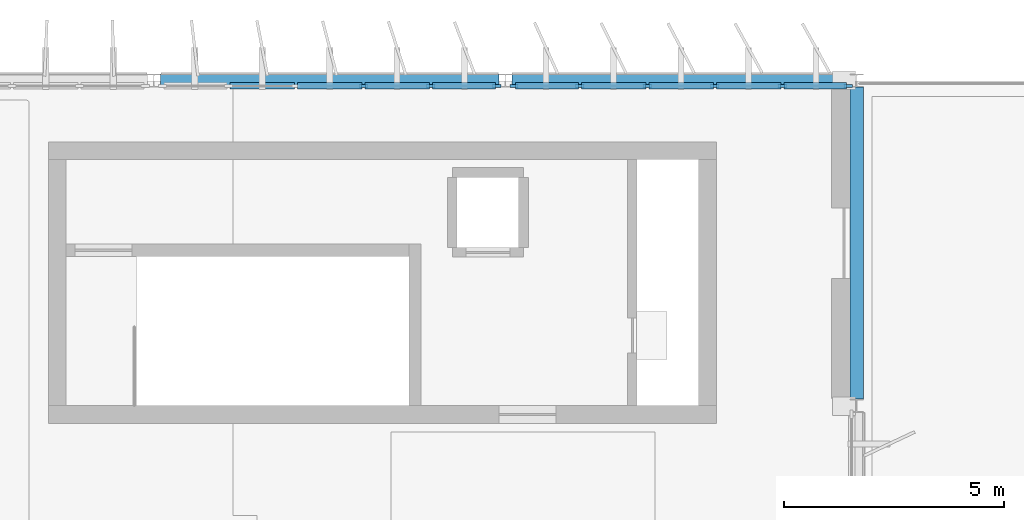
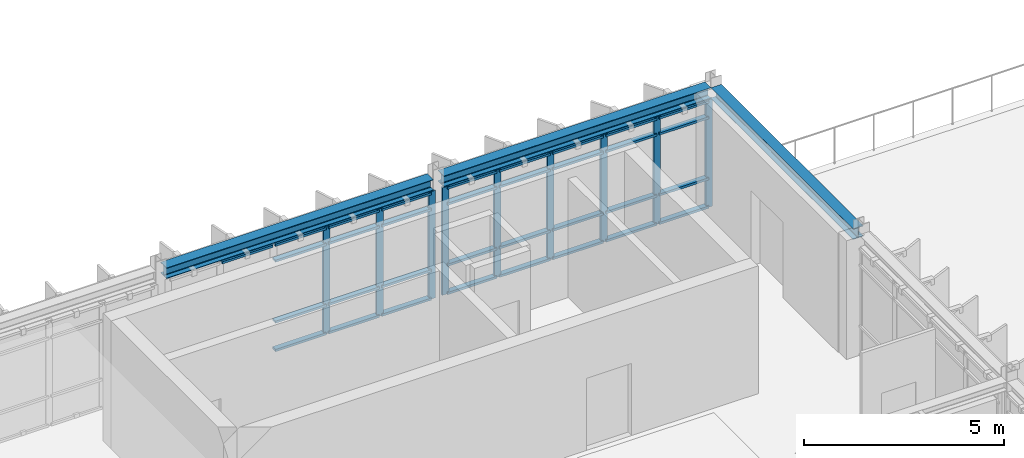
# One storey, part 10 of 20: 42 members, 3 beams, 2 elements without a shape of their own.
"""IFC4 building model written with IfcOpenShell, lengths in metres."""

from ifc_helpers import new_model, si_unit, direction, frame, origin, origin_2d, place, context, subcontext, project, spatial, rectangle, i_section, extrude, material, layer, layer_set, material_profile, profile_set, type_object, element, aggregate, save


model = new_model("IFC4")

# Units and contexts
model_context = context("Model", 3, precision=1e-05, world=origin(), true_north=direction((0.0, 1.0)))
body_context = subcontext(model_context, "Body", "Model", "MODEL_VIEW")
ifc_project = project(units=[si_unit("LENGTHUNIT", "METRE"), si_unit("AREAUNIT", "SQUARE_METRE"), si_unit("VOLUMEUNIT", "CUBIC_METRE"), si_unit("PLANEANGLEUNIT", "RADIAN"), si_unit("MASSUNIT", "GRAM", prefix="KILO")], contexts=[model_context])

# Site, building, storey
site_placement = place(None, origin())
site = spatial("IfcSite", under=ifc_project, at=site_placement, CompositionType="ELEMENT")
building_placement = place(site_placement, origin())
building = spatial("IfcBuilding", under=site, at=building_placement, Name="Valkorina Park Police Headquarters", CompositionType="ELEMENT")
storey_placement = place(building_placement, frame((0.0, 0.0, 31.10009765625)))
storey = spatial("IfcBuildingStorey", under=building, at=storey_placement, Name="L08", CompositionType="ELEMENT", Elevation=31.10009765625)

# Beams
ifc_material_1 = material(Name="Steel S355", Category="steel")
ifc_material_profile_1 = material_profile(ifc_material_1, i_section(OverallWidth=0.300048828125, OverallDepth=0.330078125, WebThickness=0.009521484375, FlangeThickness=0.0166015625, FilletRadius=0.027099609375, at=origin_2d()), Name="HEA 340")
ifc_profile_set_1 = profile_set([ifc_material_profile_1], Name="Steel S355")
beam_type = type_object("IfcBeamType", Name="BM-S355-HEA340-SPN", PredefinedType="SPANDREL", material=ifc_profile_set_1)
for number, where, z_axis, x_axis, name in (
    (1, (40.949951171875, 59.199951171875, 3.454833984375), (1.0, 0.0, 0.0), (0.0, 1.0, 0.0), "L08 Framing Beam 2816"),
    (2, (48.949951171875, 59.199951171875, 3.454833984375), (1.0, 0.0, 0.0), (0.0, 1.0, 0.0), "L08 Framing Beam 2817"),
):
    element("IfcBeam", number, at=place(storey_placement, frame(where, z_axis=z_axis, x_axis=x_axis)), inside=storey, type_object=beam_type, Name=name, PredefinedType="SPANDREL", context=body_context, shape_type="SweptSolid", body=[
        extrude(i_section(OverallWidth=0.300048828125, OverallDepth=0.330078125, WebThickness=0.009521484375, FlangeThickness=0.0166015625, FilletRadius=0.027099609375, at=origin_2d()), origin(), (0.0, 0.0, 1.0), 7.699951171875),
    ])
beam_placement = place(storey_placement, frame((56.800048828125, 51.949951171875, 3.454833984375), z_axis=(0.0, 1.0, 0.0), x_axis=(-1.0, 0.0, 0.0)))
element("IfcBeam", 3, at=beam_placement, inside=storey, type_object=beam_type, Name="L08 Framing Beam 2857", PredefinedType="SPANDREL", context=body_context, shape_type="SweptSolid", body=[
    extrude(i_section(OverallWidth=0.300048828125, OverallDepth=0.330078125, WebThickness=0.009521484375, FlangeThickness=0.0166015625, FilletRadius=0.027099609375, at=origin_2d()), origin(), (0.0, 0.0, 1.0), 7.10009765625),
])

# Curtain wall, members
ifc_material_2 = material(Name="Thermally broken aluminium AW-6060", Category="aluminium")
ifc_layer = layer(ifc_material_2, 0.18994140625)
ifc_layer_set = layer_set([ifc_layer], Name="Thermally broken aluminium AW-6060")
curtain_wall_type = type_object("IfcCurtainWallType", Name="CW-V5-7680x3280", PredefinedType="NOTDEFINED", material=ifc_layer_set)
curtain_wall_1_placement = place(storey_placement, origin())
curtain_wall_1 = element("IfcCurtainWall", 4, at=curtain_wall_1_placement, inside=storey, type_object=curtain_wall_type, Name="L08 Unitised Curtain Wall 171", PredefinedType="NOTDEFINED")
ifc_material_profile_2 = material_profile(ifc_material_2, rectangle(XDim=0.070068359375, YDim=0.18994140625, at=origin_2d()), Name="CWM-02 70x190")
ifc_profile_set_2 = profile_set([ifc_material_profile_2], Name="Thermally broken aluminium AW-6060")
member_type_1 = type_object("IfcMemberType", Name="CWM-70x190", PredefinedType="MULLION", material=ifc_profile_set_2)
member_1_placement = place(storey_placement, frame((45.568115234375, 59.080078125, 0.0), z_axis=(0.0, 0.0, 1.0), x_axis=(0.0, 1.0, 0.0)))
member_1 = element("IfcMember", 5, at=member_1_placement, type_object=member_type_1, Name="CW-V5-768-328 mullion 4", PredefinedType="MULLION", context=body_context, shape_type="SweptSolid", body=[
    extrude(rectangle(XDim=0.070068359375, YDim=0.18994140625, at=origin_2d()), origin(), (0.0, 0.0, 1.0), 3.27978515625),
])
member_2_placement = place(storey_placement, frame((47.10400390625, 59.080078125, 0.0), z_axis=(0.0, 0.0, 1.0), x_axis=(0.0, 1.0, 0.0)))
member_2 = element("IfcMember", 6, at=member_2_placement, type_object=member_type_1, Name="CW-V5-768-328 mullion 5", PredefinedType="MULLION", context=body_context, shape_type="SweptSolid", body=[
    extrude(rectangle(XDim=0.070068359375, YDim=0.18994140625, at=origin_2d()), origin(), (0.0, 0.0, 1.0), 3.27978515625),
])
member_3_placement = place(storey_placement, frame((48.60498046875, 59.080078125, 0.0), z_axis=(0.0, 0.0, 1.0), x_axis=(0.0, 1.0, 0.0)))
member_3 = element("IfcMember", 7, at=member_3_placement, type_object=member_type_1, Name="CW-V5-768-328 mullion 6", PredefinedType="MULLION", context=body_context, shape_type="SweptSolid", body=[
    extrude(rectangle(XDim=0.070068359375, YDim=0.18994140625, at=origin_2d()), origin(), (0.0, 0.0, 1.0), 3.27978515625),
])

curtain_wall_2_placement = place(storey_placement, origin())
curtain_wall_2 = element("IfcCurtainWall", 8, at=curtain_wall_2_placement, inside=storey, type_object=curtain_wall_type, Name="L08 Unitised Curtain Wall 172", PredefinedType="NOTDEFINED")
member_4_placement = place(storey_placement, frame((48.9951171875, 59.080078125, 0.0), z_axis=(0.0, 0.0, 1.0), x_axis=(0.0, 1.0, 0.0)))
member_4 = element("IfcMember", 9, at=member_4_placement, type_object=member_type_1, Name="CW-V5-768-328 mullion 1", PredefinedType="MULLION", context=body_context, shape_type="SweptSolid", body=[
    extrude(rectangle(XDim=0.070068359375, YDim=0.18994140625, at=origin_2d()), origin(), (0.0, 0.0, 1.0), 3.27978515625),
])
member_5_placement = place(storey_placement, frame((50.49609375, 59.080078125, 0.0), z_axis=(0.0, 0.0, 1.0), x_axis=(0.0, 1.0, 0.0)))
member_5 = element("IfcMember", 10, at=member_5_placement, type_object=member_type_1, Name="CW-V5-768-328 mullion 2", PredefinedType="MULLION", context=body_context, shape_type="SweptSolid", body=[
    extrude(rectangle(XDim=0.070068359375, YDim=0.18994140625, at=origin_2d()), origin(), (0.0, 0.0, 1.0), 3.27978515625),
])
member_6_placement = place(storey_placement, frame((52.031982421875, 59.080078125, 0.0), z_axis=(0.0, 0.0, 1.0), x_axis=(0.0, 1.0, 0.0)))
member_6 = element("IfcMember", 11, at=member_6_placement, type_object=member_type_1, Name="CW-V5-768-328 mullion 3", PredefinedType="MULLION", context=body_context, shape_type="SweptSolid", body=[
    extrude(rectangle(XDim=0.070068359375, YDim=0.18994140625, at=origin_2d()), origin(), (0.0, 0.0, 1.0), 3.27978515625),
])
member_7_placement = place(storey_placement, frame((53.568115234375, 59.080078125, 0.0), z_axis=(0.0, 0.0, 1.0), x_axis=(0.0, 1.0, 0.0)))
member_7 = element("IfcMember", 12, at=member_7_placement, type_object=member_type_1, Name="CW-V5-768-328 mullion 4", PredefinedType="MULLION", context=body_context, shape_type="SweptSolid", body=[
    extrude(rectangle(XDim=0.070068359375, YDim=0.18994140625, at=origin_2d()), origin(), (0.0, 0.0, 1.0), 3.27978515625),
])
member_8_placement = place(storey_placement, frame((55.10400390625, 59.080078125, 0.0), z_axis=(0.0, 0.0, 1.0), x_axis=(0.0, 1.0, 0.0)))
member_8 = element("IfcMember", 13, at=member_8_placement, type_object=member_type_1, Name="CW-V5-768-328 mullion 5", PredefinedType="MULLION", context=body_context, shape_type="SweptSolid", body=[
    extrude(rectangle(XDim=0.070068359375, YDim=0.18994140625, at=origin_2d()), origin(), (0.0, 0.0, 1.0), 3.27978515625),
])
member_9_placement = place(storey_placement, frame((56.60498046875, 59.080078125, 0.0), z_axis=(0.0, 0.0, 1.0), x_axis=(0.0, 1.0, 0.0)))
member_9 = element("IfcMember", 14, at=member_9_placement, type_object=member_type_1, Name="CW-V5-768-328 mullion 6", PredefinedType="MULLION", context=body_context, shape_type="SweptSolid", body=[
    extrude(rectangle(XDim=0.070068359375, YDim=0.18994140625, at=origin_2d()), origin(), (0.0, 0.0, 1.0), 3.27978515625),
])

# Member
ifc_material_profile_3 = material_profile(ifc_material_2, rectangle(XDim=0.14990234375, YDim=0.070068359375, at=origin_2d()), Name="CWT-02 150x70")
ifc_profile_set_3 = profile_set([ifc_material_profile_3], Name="Thermally broken aluminium AW-6060")
member_type_2 = type_object("IfcMemberType", Name="CWT-150x70", PredefinedType="USERDEFINED", material=ifc_profile_set_3)
member_10_placement = place(storey_placement, frame((42.531005859375, 59.080078125, 3.244873046875), z_axis=(1.0, 0.0, 0.0), x_axis=(0.0, 1.0, 0.0)))
member_10 = element("IfcMember", 15, at=member_10_placement, type_object=member_type_2, Name="CW-V5-768-328 transom 2.4", ObjectType="TRANSOM", PredefinedType="USERDEFINED", context=body_context, shape_type="SweptSolid", body=[
    extrude(rectangle(XDim=0.14990234375, YDim=0.070068359375, at=origin_2d()), origin(), (0.0, 0.0, 1.0), 1.466064453125),
])

member_11_placement = place(storey_placement, frame((44.06689453125, 59.080078125, 0.034912109375), z_axis=(1.0, 0.0, 0.0), x_axis=(0.0, 1.0, 0.0)))
member_11 = element("IfcMember", 16, at=member_11_placement, type_object=member_type_2, Name="CW-V5-768-328 transom 3.1", ObjectType="TRANSOM", PredefinedType="USERDEFINED", context=body_context, shape_type="SweptSolid", body=[
    extrude(rectangle(XDim=0.14990234375, YDim=0.070068359375, at=origin_2d()), origin(), (0.0, 0.0, 1.0), 1.466064453125),
])

member_12_placement = place(storey_placement, frame((44.06689453125, 59.080078125, 0.89990234375), z_axis=(1.0, 0.0, 0.0), x_axis=(0.0, 1.0, 0.0)))
member_12 = element("IfcMember", 17, at=member_12_placement, type_object=member_type_2, Name="CW-V5-768-328 transom 3.2", ObjectType="TRANSOM", PredefinedType="USERDEFINED", context=body_context, shape_type="SweptSolid", body=[
    extrude(rectangle(XDim=0.14990234375, YDim=0.070068359375, at=origin_2d()), origin(), (0.0, 0.0, 1.0), 1.466064453125),
])

member_13_placement = place(storey_placement, frame((44.06689453125, 59.080078125, 2.760009765625), z_axis=(1.0, 0.0, 0.0), x_axis=(0.0, 1.0, 0.0)))
member_13 = element("IfcMember", 18, at=member_13_placement, type_object=member_type_2, Name="CW-V5-768-328 transom 3.3", ObjectType="TRANSOM", PredefinedType="USERDEFINED", context=body_context, shape_type="SweptSolid", body=[
    extrude(rectangle(XDim=0.14990234375, YDim=0.070068359375, at=origin_2d()), origin(), (0.0, 0.0, 1.0), 1.466064453125),
])

member_14_placement = place(storey_placement, frame((44.06689453125, 59.080078125, 3.244873046875), z_axis=(1.0, 0.0, 0.0), x_axis=(0.0, 1.0, 0.0)))
member_14 = element("IfcMember", 19, at=member_14_placement, type_object=member_type_2, Name="CW-V5-768-328 transom 3.4", ObjectType="TRANSOM", PredefinedType="USERDEFINED", context=body_context, shape_type="SweptSolid", body=[
    extrude(rectangle(XDim=0.14990234375, YDim=0.070068359375, at=origin_2d()), origin(), (0.0, 0.0, 1.0), 1.466064453125),
])

member_15_placement = place(storey_placement, frame((45.60302734375, 59.080078125, 0.034912109375), z_axis=(1.0, 0.0, 0.0), x_axis=(0.0, 1.0, 0.0)))
member_15 = element("IfcMember", 20, at=member_15_placement, type_object=member_type_2, Name="CW-V5-768-328 transom 4.1", ObjectType="TRANSOM", PredefinedType="USERDEFINED", context=body_context, shape_type="SweptSolid", body=[
    extrude(rectangle(XDim=0.14990234375, YDim=0.070068359375, at=origin_2d()), origin(), (0.0, 0.0, 1.0), 1.466064453125),
])

member_16_placement = place(storey_placement, frame((45.60302734375, 59.080078125, 0.89990234375), z_axis=(1.0, 0.0, 0.0), x_axis=(0.0, 1.0, 0.0)))
member_16 = element("IfcMember", 21, at=member_16_placement, type_object=member_type_2, Name="CW-V5-768-328 transom 4.2", ObjectType="TRANSOM", PredefinedType="USERDEFINED", context=body_context, shape_type="SweptSolid", body=[
    extrude(rectangle(XDim=0.14990234375, YDim=0.070068359375, at=origin_2d()), origin(), (0.0, 0.0, 1.0), 1.466064453125),
])

member_17_placement = place(storey_placement, frame((45.60302734375, 59.080078125, 2.760009765625), z_axis=(1.0, 0.0, 0.0), x_axis=(0.0, 1.0, 0.0)))
member_17 = element("IfcMember", 22, at=member_17_placement, type_object=member_type_2, Name="CW-V5-768-328 transom 4.3", ObjectType="TRANSOM", PredefinedType="USERDEFINED", context=body_context, shape_type="SweptSolid", body=[
    extrude(rectangle(XDim=0.14990234375, YDim=0.070068359375, at=origin_2d()), origin(), (0.0, 0.0, 1.0), 1.466064453125),
])

member_18_placement = place(storey_placement, frame((45.60302734375, 59.080078125, 3.244873046875), z_axis=(1.0, 0.0, 0.0), x_axis=(0.0, 1.0, 0.0)))
member_18 = element("IfcMember", 23, at=member_18_placement, type_object=member_type_2, Name="CW-V5-768-328 transom 4.4", ObjectType="TRANSOM", PredefinedType="USERDEFINED", context=body_context, shape_type="SweptSolid", body=[
    extrude(rectangle(XDim=0.14990234375, YDim=0.070068359375, at=origin_2d()), origin(), (0.0, 0.0, 1.0), 1.466064453125),
])

member_19_placement = place(storey_placement, frame((47.138916015625, 59.080078125, 0.034912109375), z_axis=(1.0, 0.0, 0.0), x_axis=(0.0, 1.0, 0.0)))
member_19 = element("IfcMember", 24, at=member_19_placement, type_object=member_type_2, Name="CW-V5-768-328 transom 5.1", ObjectType="TRANSOM", PredefinedType="USERDEFINED", context=body_context, shape_type="SweptSolid", body=[
    extrude(rectangle(XDim=0.14990234375, YDim=0.070068359375, at=origin_2d()), origin(), (0.0, 0.0, 1.0), 1.43115234375),
])

member_20_placement = place(storey_placement, frame((47.138916015625, 59.080078125, 0.89990234375), z_axis=(1.0, 0.0, 0.0), x_axis=(0.0, 1.0, 0.0)))
member_20 = element("IfcMember", 25, at=member_20_placement, type_object=member_type_2, Name="CW-V5-768-328 transom 5.2", ObjectType="TRANSOM", PredefinedType="USERDEFINED", context=body_context, shape_type="SweptSolid", body=[
    extrude(rectangle(XDim=0.14990234375, YDim=0.070068359375, at=origin_2d()), origin(), (0.0, 0.0, 1.0), 1.43115234375),
])

member_21_placement = place(storey_placement, frame((47.138916015625, 59.080078125, 2.760009765625), z_axis=(1.0, 0.0, 0.0), x_axis=(0.0, 1.0, 0.0)))
member_21 = element("IfcMember", 26, at=member_21_placement, type_object=member_type_2, Name="CW-V5-768-328 transom 5.3", ObjectType="TRANSOM", PredefinedType="USERDEFINED", context=body_context, shape_type="SweptSolid", body=[
    extrude(rectangle(XDim=0.14990234375, YDim=0.070068359375, at=origin_2d()), origin(), (0.0, 0.0, 1.0), 1.43115234375),
])

member_22_placement = place(storey_placement, frame((47.138916015625, 59.080078125, 3.244873046875), z_axis=(1.0, 0.0, 0.0), x_axis=(0.0, 1.0, 0.0)))
member_22 = element("IfcMember", 27, at=member_22_placement, type_object=member_type_2, Name="CW-V5-768-328 transom 5.4", ObjectType="TRANSOM", PredefinedType="USERDEFINED", context=body_context, shape_type="SweptSolid", body=[
    extrude(rectangle(XDim=0.14990234375, YDim=0.070068359375, at=origin_2d()), origin(), (0.0, 0.0, 1.0), 1.43115234375),
])

aggregate(curtain_wall_1, [member_1, member_2, member_3, member_10, member_11, member_12, member_13, member_14, member_15, member_16, member_17, member_18, member_19, member_20, member_21, member_22])

member_23_placement = place(storey_placement, frame((49.030029296875, 59.080078125, 0.034912109375), z_axis=(1.0, 0.0, 0.0), x_axis=(0.0, 1.0, 0.0)))
member_23 = element("IfcMember", 28, at=member_23_placement, type_object=member_type_2, Name="CW-V5-768-328 transom 1.1", ObjectType="TRANSOM", PredefinedType="USERDEFINED", context=body_context, shape_type="SweptSolid", body=[
    extrude(rectangle(XDim=0.14990234375, YDim=0.070068359375, at=origin_2d()), origin(), (0.0, 0.0, 1.0), 1.430908203125),
])

member_24_placement = place(storey_placement, frame((49.030029296875, 59.080078125, 0.89990234375), z_axis=(1.0, 0.0, 0.0), x_axis=(0.0, 1.0, 0.0)))
member_24 = element("IfcMember", 29, at=member_24_placement, type_object=member_type_2, Name="CW-V5-768-328 transom 1.2", ObjectType="TRANSOM", PredefinedType="USERDEFINED", context=body_context, shape_type="SweptSolid", body=[
    extrude(rectangle(XDim=0.14990234375, YDim=0.070068359375, at=origin_2d()), origin(), (0.0, 0.0, 1.0), 1.430908203125),
])

member_25_placement = place(storey_placement, frame((49.030029296875, 59.080078125, 2.760009765625), z_axis=(1.0, 0.0, 0.0), x_axis=(0.0, 1.0, 0.0)))
member_25 = element("IfcMember", 30, at=member_25_placement, type_object=member_type_2, Name="CW-V5-768-328 transom 1.3", ObjectType="TRANSOM", PredefinedType="USERDEFINED", context=body_context, shape_type="SweptSolid", body=[
    extrude(rectangle(XDim=0.14990234375, YDim=0.070068359375, at=origin_2d()), origin(), (0.0, 0.0, 1.0), 1.430908203125),
])

member_26_placement = place(storey_placement, frame((49.030029296875, 59.080078125, 3.244873046875), z_axis=(1.0, 0.0, 0.0), x_axis=(0.0, 1.0, 0.0)))
member_26 = element("IfcMember", 31, at=member_26_placement, type_object=member_type_2, Name="CW-V5-768-328 transom 1.4", ObjectType="TRANSOM", PredefinedType="USERDEFINED", context=body_context, shape_type="SweptSolid", body=[
    extrude(rectangle(XDim=0.14990234375, YDim=0.070068359375, at=origin_2d()), origin(), (0.0, 0.0, 1.0), 1.430908203125),
])

member_27_placement = place(storey_placement, frame((50.531005859375, 59.080078125, 0.034912109375), z_axis=(1.0, 0.0, 0.0), x_axis=(0.0, 1.0, 0.0)))
member_27 = element("IfcMember", 32, at=member_27_placement, type_object=member_type_2, Name="CW-V5-768-328 transom 2.1", ObjectType="TRANSOM", PredefinedType="USERDEFINED", context=body_context, shape_type="SweptSolid", body=[
    extrude(rectangle(XDim=0.14990234375, YDim=0.070068359375, at=origin_2d()), origin(), (0.0, 0.0, 1.0), 1.466064453125),
])

member_28_placement = place(storey_placement, frame((50.531005859375, 59.080078125, 0.89990234375), z_axis=(1.0, 0.0, 0.0), x_axis=(0.0, 1.0, 0.0)))
member_28 = element("IfcMember", 33, at=member_28_placement, type_object=member_type_2, Name="CW-V5-768-328 transom 2.2", ObjectType="TRANSOM", PredefinedType="USERDEFINED", context=body_context, shape_type="SweptSolid", body=[
    extrude(rectangle(XDim=0.14990234375, YDim=0.070068359375, at=origin_2d()), origin(), (0.0, 0.0, 1.0), 1.466064453125),
])

member_29_placement = place(storey_placement, frame((50.531005859375, 59.080078125, 2.760009765625), z_axis=(1.0, 0.0, 0.0), x_axis=(0.0, 1.0, 0.0)))
member_29 = element("IfcMember", 34, at=member_29_placement, type_object=member_type_2, Name="CW-V5-768-328 transom 2.3", ObjectType="TRANSOM", PredefinedType="USERDEFINED", context=body_context, shape_type="SweptSolid", body=[
    extrude(rectangle(XDim=0.14990234375, YDim=0.070068359375, at=origin_2d()), origin(), (0.0, 0.0, 1.0), 1.466064453125),
])

member_30_placement = place(storey_placement, frame((50.531005859375, 59.080078125, 3.244873046875), z_axis=(1.0, 0.0, 0.0), x_axis=(0.0, 1.0, 0.0)))
member_30 = element("IfcMember", 35, at=member_30_placement, type_object=member_type_2, Name="CW-V5-768-328 transom 2.4", ObjectType="TRANSOM", PredefinedType="USERDEFINED", context=body_context, shape_type="SweptSolid", body=[
    extrude(rectangle(XDim=0.14990234375, YDim=0.070068359375, at=origin_2d()), origin(), (0.0, 0.0, 1.0), 1.466064453125),
])

member_31_placement = place(storey_placement, frame((52.06689453125, 59.080078125, 0.034912109375), z_axis=(1.0, 0.0, 0.0), x_axis=(0.0, 1.0, 0.0)))
member_31 = element("IfcMember", 36, at=member_31_placement, type_object=member_type_2, Name="CW-V5-768-328 transom 3.1", ObjectType="TRANSOM", PredefinedType="USERDEFINED", context=body_context, shape_type="SweptSolid", body=[
    extrude(rectangle(XDim=0.14990234375, YDim=0.070068359375, at=origin_2d()), origin(), (0.0, 0.0, 1.0), 1.466064453125),
])

member_32_placement = place(storey_placement, frame((52.06689453125, 59.080078125, 0.89990234375), z_axis=(1.0, 0.0, 0.0), x_axis=(0.0, 1.0, 0.0)))
member_32 = element("IfcMember", 37, at=member_32_placement, type_object=member_type_2, Name="CW-V5-768-328 transom 3.2", ObjectType="TRANSOM", PredefinedType="USERDEFINED", context=body_context, shape_type="SweptSolid", body=[
    extrude(rectangle(XDim=0.14990234375, YDim=0.070068359375, at=origin_2d()), origin(), (0.0, 0.0, 1.0), 1.466064453125),
])

member_33_placement = place(storey_placement, frame((52.06689453125, 59.080078125, 2.760009765625), z_axis=(1.0, 0.0, 0.0), x_axis=(0.0, 1.0, 0.0)))
member_33 = element("IfcMember", 38, at=member_33_placement, type_object=member_type_2, Name="CW-V5-768-328 transom 3.3", ObjectType="TRANSOM", PredefinedType="USERDEFINED", context=body_context, shape_type="SweptSolid", body=[
    extrude(rectangle(XDim=0.14990234375, YDim=0.070068359375, at=origin_2d()), origin(), (0.0, 0.0, 1.0), 1.466064453125),
])

member_34_placement = place(storey_placement, frame((52.06689453125, 59.080078125, 3.244873046875), z_axis=(1.0, 0.0, 0.0), x_axis=(0.0, 1.0, 0.0)))
member_34 = element("IfcMember", 39, at=member_34_placement, type_object=member_type_2, Name="CW-V5-768-328 transom 3.4", ObjectType="TRANSOM", PredefinedType="USERDEFINED", context=body_context, shape_type="SweptSolid", body=[
    extrude(rectangle(XDim=0.14990234375, YDim=0.070068359375, at=origin_2d()), origin(), (0.0, 0.0, 1.0), 1.466064453125),
])

member_35_placement = place(storey_placement, frame((53.60302734375, 59.080078125, 0.034912109375), z_axis=(1.0, 0.0, 0.0), x_axis=(0.0, 1.0, 0.0)))
member_35 = element("IfcMember", 40, at=member_35_placement, type_object=member_type_2, Name="CW-V5-768-328 transom 4.1", ObjectType="TRANSOM", PredefinedType="USERDEFINED", context=body_context, shape_type="SweptSolid", body=[
    extrude(rectangle(XDim=0.14990234375, YDim=0.070068359375, at=origin_2d()), origin(), (0.0, 0.0, 1.0), 1.466064453125),
])

member_36_placement = place(storey_placement, frame((53.60302734375, 59.080078125, 0.89990234375), z_axis=(1.0, 0.0, 0.0), x_axis=(0.0, 1.0, 0.0)))
member_36 = element("IfcMember", 41, at=member_36_placement, type_object=member_type_2, Name="CW-V5-768-328 transom 4.2", ObjectType="TRANSOM", PredefinedType="USERDEFINED", context=body_context, shape_type="SweptSolid", body=[
    extrude(rectangle(XDim=0.14990234375, YDim=0.070068359375, at=origin_2d()), origin(), (0.0, 0.0, 1.0), 1.466064453125),
])

member_37_placement = place(storey_placement, frame((53.60302734375, 59.080078125, 2.760009765625), z_axis=(1.0, 0.0, 0.0), x_axis=(0.0, 1.0, 0.0)))
member_37 = element("IfcMember", 42, at=member_37_placement, type_object=member_type_2, Name="CW-V5-768-328 transom 4.3", ObjectType="TRANSOM", PredefinedType="USERDEFINED", context=body_context, shape_type="SweptSolid", body=[
    extrude(rectangle(XDim=0.14990234375, YDim=0.070068359375, at=origin_2d()), origin(), (0.0, 0.0, 1.0), 1.466064453125),
])

member_38_placement = place(storey_placement, frame((53.60302734375, 59.080078125, 3.244873046875), z_axis=(1.0, 0.0, 0.0), x_axis=(0.0, 1.0, 0.0)))
member_38 = element("IfcMember", 43, at=member_38_placement, type_object=member_type_2, Name="CW-V5-768-328 transom 4.4", ObjectType="TRANSOM", PredefinedType="USERDEFINED", context=body_context, shape_type="SweptSolid", body=[
    extrude(rectangle(XDim=0.14990234375, YDim=0.070068359375, at=origin_2d()), origin(), (0.0, 0.0, 1.0), 1.466064453125),
])

member_39_placement = place(storey_placement, frame((55.138916015625, 59.080078125, 0.034912109375), z_axis=(1.0, 0.0, 0.0), x_axis=(0.0, 1.0, 0.0)))
member_39 = element("IfcMember", 44, at=member_39_placement, type_object=member_type_2, Name="CW-V5-768-328 transom 5.1", ObjectType="TRANSOM", PredefinedType="USERDEFINED", context=body_context, shape_type="SweptSolid", body=[
    extrude(rectangle(XDim=0.14990234375, YDim=0.070068359375, at=origin_2d()), origin(), (0.0, 0.0, 1.0), 1.43115234375),
])

member_40_placement = place(storey_placement, frame((55.138916015625, 59.080078125, 0.89990234375), z_axis=(1.0, 0.0, 0.0), x_axis=(0.0, 1.0, 0.0)))
member_40 = element("IfcMember", 45, at=member_40_placement, type_object=member_type_2, Name="CW-V5-768-328 transom 5.2", ObjectType="TRANSOM", PredefinedType="USERDEFINED", context=body_context, shape_type="SweptSolid", body=[
    extrude(rectangle(XDim=0.14990234375, YDim=0.070068359375, at=origin_2d()), origin(), (0.0, 0.0, 1.0), 1.43115234375),
])

member_41_placement = place(storey_placement, frame((55.138916015625, 59.080078125, 2.760009765625), z_axis=(1.0, 0.0, 0.0), x_axis=(0.0, 1.0, 0.0)))
member_41 = element("IfcMember", 46, at=member_41_placement, type_object=member_type_2, Name="CW-V5-768-328 transom 5.3", ObjectType="TRANSOM", PredefinedType="USERDEFINED", context=body_context, shape_type="SweptSolid", body=[
    extrude(rectangle(XDim=0.14990234375, YDim=0.070068359375, at=origin_2d()), origin(), (0.0, 0.0, 1.0), 1.43115234375),
])

member_42_placement = place(storey_placement, frame((55.138916015625, 59.080078125, 3.244873046875), z_axis=(1.0, 0.0, 0.0), x_axis=(0.0, 1.0, 0.0)))
member_42 = element("IfcMember", 47, at=member_42_placement, type_object=member_type_2, Name="CW-V5-768-328 transom 5.4", ObjectType="TRANSOM", PredefinedType="USERDEFINED", context=body_context, shape_type="SweptSolid", body=[
    extrude(rectangle(XDim=0.14990234375, YDim=0.070068359375, at=origin_2d()), origin(), (0.0, 0.0, 1.0), 1.43115234375),
])

aggregate(curtain_wall_2, [member_4, member_5, member_6, member_7, member_8, member_9, member_23, member_24, member_25, member_26, member_27, member_28, member_29, member_30, member_31, member_32, member_33, member_34, member_35, member_36, member_37, member_38, member_39, member_40, member_41, member_42])

save(model, "model.ifc")
